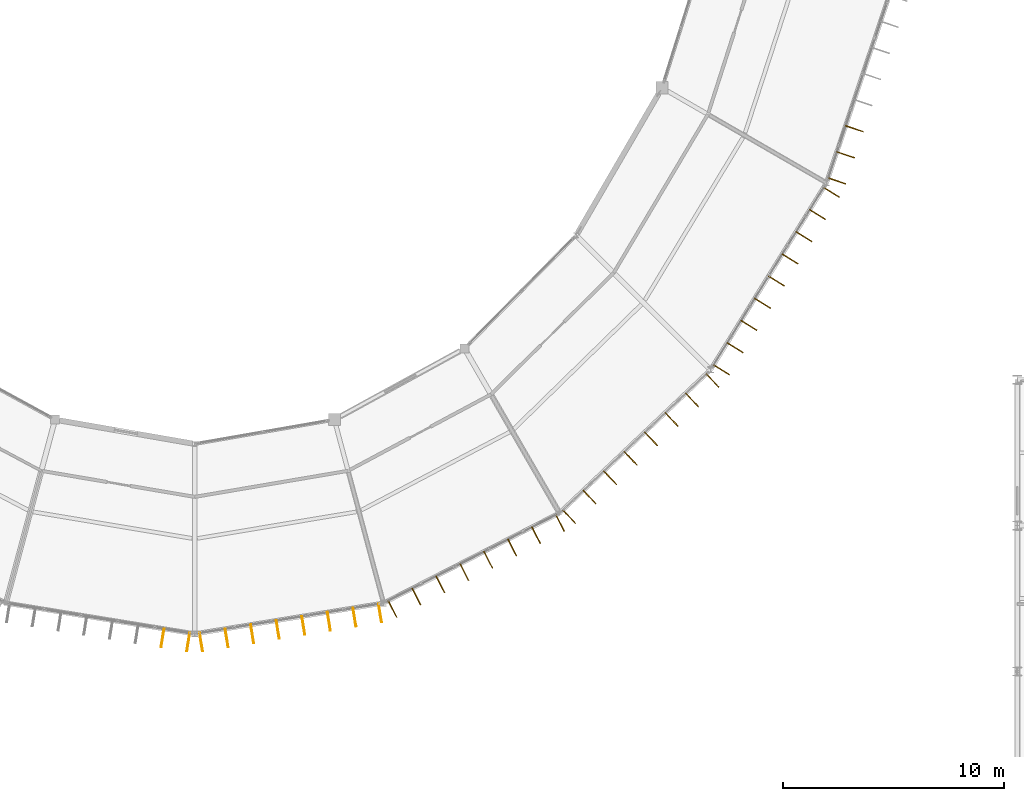
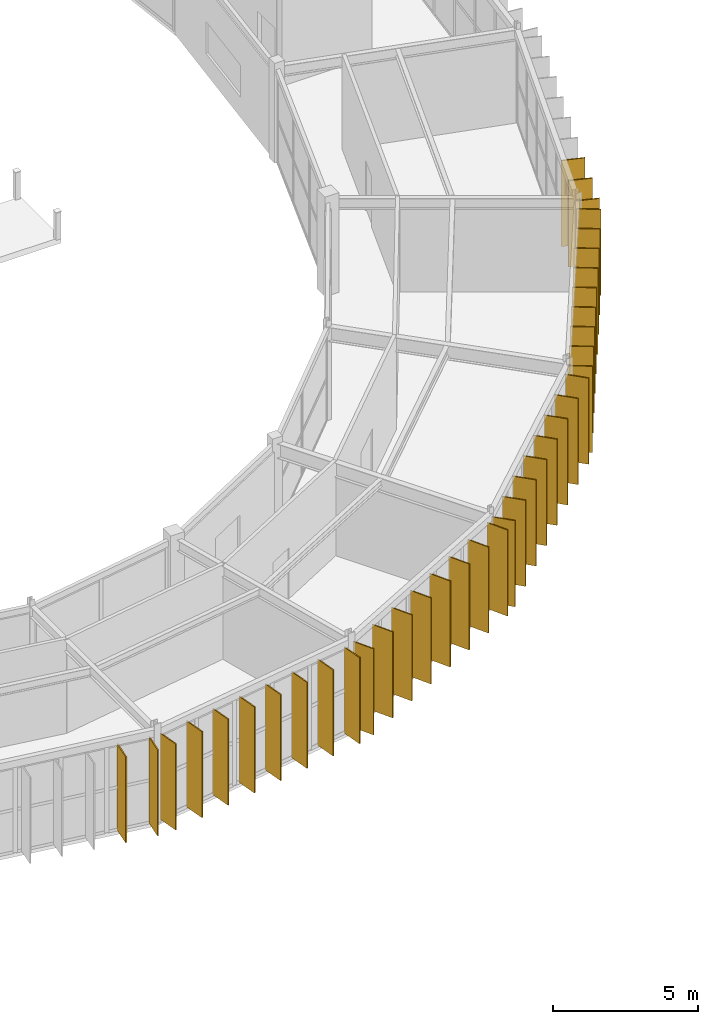
# One storey, part 150 of 157: 38 shading devices.
"""IFC4 building model written with IfcOpenShell, lengths in metres."""

from ifc_helpers import new_model, si_unit, direction, frame, origin, origin_2d, place, context, subcontext, project, spatial, rectangle, extrude, material, layer, layer_set, type_object, element, save


model = new_model("IFC4")

# Units and contexts
model_context = context("Model", 3, precision=1e-05, world=origin(), true_north=direction((0.0, 1.0)))
body_context = subcontext(model_context, "Body", "Model", "MODEL_VIEW")
ifc_project = project(units=[si_unit("LENGTHUNIT", "METRE"), si_unit("AREAUNIT", "SQUARE_METRE"), si_unit("VOLUMEUNIT", "CUBIC_METRE"), si_unit("PLANEANGLEUNIT", "RADIAN"), si_unit("MASSUNIT", "GRAM", prefix="KILO")], contexts=[model_context])

# Site, building, storey
site_placement = place(None, origin())
site = spatial("IfcSite", under=ifc_project, at=site_placement, CompositionType="ELEMENT")
building_placement = place(site_placement, origin())
building = spatial("IfcBuilding", under=site, at=building_placement, Name="Karori Crest Natural Sciences Institute", CompositionType="ELEMENT")
storey_placement = place(building_placement, frame((0.0, 0.0, 13.300048828125)))
storey = spatial("IfcBuildingStorey", under=building, at=storey_placement, Name="L03", CompositionType="ELEMENT", Elevation=13.300048828125)

# Shading devices
ifc_material = material(Name="Anodised architectural aluminium 6063-T6", Category="aluminium")
ifc_layer = layer(ifc_material, 0.044921875, Name="Anodised architectural aluminium 6063-T6")
ifc_layer_set = layer_set([ifc_layer], Name="Anodised architectural aluminium 6063-T6")
shading_device_type = type_object("IfcShadingDeviceType", Name="SDT-FIN", PredefinedType="USERDEFINED", material=ifc_layer_set)
for number, where, z_axis, x_axis, name in (
    (1, (66.109375, 8.73193359375, 0.0), (0.0, 0.0, 1.0), (-0.160654710652, -0.987010670634, 0.0), "Vertical solar fin FN-0554"),
    (2, (64.9462890625, 8.921142578125, 0.0), (0.0, 0.0, 1.0), (-0.160654710652, -0.987010670634, 0.0), "Vertical solar fin FN-0555"),
    (3, (74.783203125, 10.049072265625, 0.0), (0.0, 0.0, 1.0), (0.160649542674, -0.987011511807, 0.0), "Vertical solar fin FN-0562"),
    (4, (73.626953125, 9.86083984375, 0.0), (0.0, 0.0, 1.0), (0.160649542674, -0.987011511807, 0.0), "Vertical solar fin FN-0563"),
    (5, (72.470947265625, 9.672607421875, 0.0), (0.0, 0.0, 1.0), (0.160649542674, -0.987011511807, 0.0), "Vertical solar fin FN-0564"),
    (6, (71.31494140625, 9.484619140625, 0.0), (0.0, 0.0, 1.0), (0.160649542674, -0.987011511807, 0.0), "Vertical solar fin FN-0565"),
    (7, (70.15869140625, 9.29638671875, 0.0), (0.0, 0.0, 1.0), (0.160649542674, -0.987011511807, 0.0), "Vertical solar fin FN-0566"),
    (8, (69.002685546875, 9.108154296875, 0.0), (0.0, 0.0, 1.0), (0.160649542674, -0.987011511807, 0.0), "Vertical solar fin FN-0567"),
    (9, (67.8466796875, 8.920166015625, 0.0), (0.0, 0.0, 1.0), (0.160649542674, -0.987011511807, 0.0), "Vertical solar fin FN-0568"),
    (10, (66.690673828125, 8.73193359375, 0.0), (0.0, 0.0, 1.0), (0.160649542674, -0.987011511807, 0.0), "Vertical solar fin FN-0569"),
    (11, (82.922607421875, 14.1171875, 0.0), (0.0, 0.0, 1.0), (0.455829213737, -0.890067260326, 0.0), "Vertical solar fin FN-0570"),
    (12, (81.839599609375, 13.5625, 0.0), (0.0, 0.0, 1.0), (0.455829213737, -0.890067260326, 0.0), "Vertical solar fin FN-0571"),
    (13, (80.7568359375, 13.008056640625, 0.0), (0.0, 0.0, 1.0), (0.455829213737, -0.890067260326, 0.0), "Vertical solar fin FN-0572"),
    (14, (79.673828125, 12.453369140625, 0.0), (0.0, 0.0, 1.0), (0.455829213737, -0.890067260326, 0.0), "Vertical solar fin FN-0573"),
    (15, (78.5908203125, 11.898681640625, 0.0), (0.0, 0.0, 1.0), (0.455829213737, -0.890067260326, 0.0), "Vertical solar fin FN-0574"),
    (16, (77.508056640625, 11.34423828125, 0.0), (0.0, 0.0, 1.0), (0.455829213737, -0.890067260326, 0.0), "Vertical solar fin FN-0575"),
    (17, (76.425048828125, 10.78955078125, 0.0), (0.0, 0.0, 1.0), (0.455829213737, -0.890067260326, 0.0), "Vertical solar fin FN-0576"),
    (18, (75.342041015625, 10.235107421875, 0.0), (0.0, 0.0, 1.0), (0.455829213737, -0.890067260326, 0.0), "Vertical solar fin FN-0577"),
    (19, (89.817626953125, 20.563720703125, 0.0), (0.0, 0.0, 1.0), (0.688250755242, -0.725472878824, 0.0), "Vertical solar fin FN-0578"),
    (20, (88.890869140625, 19.6845703125, 0.0), (0.0, 0.0, 1.0), (0.688250755242, -0.725472878824, 0.0), "Vertical solar fin FN-0579"),
    (21, (87.964111328125, 18.805419921875, 0.0), (0.0, 0.0, 1.0), (0.688250755242, -0.725472878824, 0.0), "Vertical solar fin FN-0580"),
    (22, (87.037353515625, 17.926025390625, 0.0), (0.0, 0.0, 1.0), (0.688250755242, -0.725472878824, 0.0), "Vertical solar fin FN-0581"),
    (23, (86.110595703125, 17.046875, 0.0), (0.0, 0.0, 1.0), (0.688250755242, -0.725472878824, 0.0), "Vertical solar fin FN-0582"),
    (24, (85.183837890625, 16.16748046875, 0.0), (0.0, 0.0, 1.0), (0.688250755242, -0.725472878824, 0.0), "Vertical solar fin FN-0583"),
    (25, (84.257080078125, 15.288330078125, 0.0), (0.0, 0.0, 1.0), (0.688250755242, -0.725472878824, 0.0), "Vertical solar fin FN-0584"),
    (26, (83.330078125, 14.4091796875, 0.0), (0.0, 0.0, 1.0), (0.688250755242, -0.725472878824, 0.0), "Vertical solar fin FN-0585"),
    (27, (95.196533203125, 29.073486328125, 0.0), (0.0, 0.0, 1.0), (0.849664524961, -0.527323615081, 0.0), "Vertical solar fin FN-0586"),
    (28, (94.573974609375, 28.0703125, 0.0), (0.0, 0.0, 1.0), (0.849664524961, -0.527323615081, 0.0), "Vertical solar fin FN-0587"),
    (29, (93.951416015625, 27.06689453125, 0.0), (0.0, 0.0, 1.0), (0.849664524961, -0.527323615081, 0.0), "Vertical solar fin FN-0588"),
    (30, (93.32861328125, 26.063720703125, 0.0), (0.0, 0.0, 1.0), (0.849664524961, -0.527323615081, 0.0), "Vertical solar fin FN-0589"),
    (31, (92.705810546875, 25.060302734375, 0.0), (0.0, 0.0, 1.0), (0.849664524961, -0.527323615081, 0.0), "Vertical solar fin FN-0590"),
    (32, (92.083251953125, 24.056884765625, 0.0), (0.0, 0.0, 1.0), (0.849664524961, -0.527323615081, 0.0), "Vertical solar fin FN-0591"),
    (33, (91.460693359375, 23.0537109375, 0.0), (0.0, 0.0, 1.0), (0.849664524961, -0.527323615081, 0.0), "Vertical solar fin FN-0592"),
    (34, (90.837890625, 22.05029296875, 0.0), (0.0, 0.0, 1.0), (0.849664524961, -0.527323615081, 0.0), "Vertical solar fin FN-0593"),
    (35, (90.215087890625, 21.047119140625, 0.0), (0.0, 0.0, 1.0), (0.849664524961, -0.527323615081, 0.0), "Vertical solar fin FN-0594"),
    (36, (96.232421875, 31.951416015625, 0.0), (0.0, 0.0, 1.0), (0.948197867933, -0.317680347595, 0.0), "Vertical solar fin FN-0601"),
    (37, (95.8369140625, 30.7705078125, 0.0), (0.0, 0.0, 1.0), (0.948197867933, -0.317680347595, 0.0), "Vertical solar fin FN-0602"),
    (38, (95.441162109375, 29.589599609375, 0.0), (0.0, 0.0, 1.0), (0.948197867933, -0.317680347595, 0.0), "Vertical solar fin FN-0603"),
):
    element("IfcShadingDevice", number, at=place(storey_placement, frame(where, z_axis=z_axis, x_axis=x_axis)), inside=storey, type_object=shading_device_type, Name=name, ObjectType="SOLAR_FIN", PredefinedType="USERDEFINED", context=body_context, shape_type="SweptSolid", body=[
        extrude(rectangle(XDim=0.85009765625, YDim=0.044921875, at=origin_2d()), origin(), (0.0, 0.0, 1.0), 3.625),
    ])

save(model, "model.ifc")
